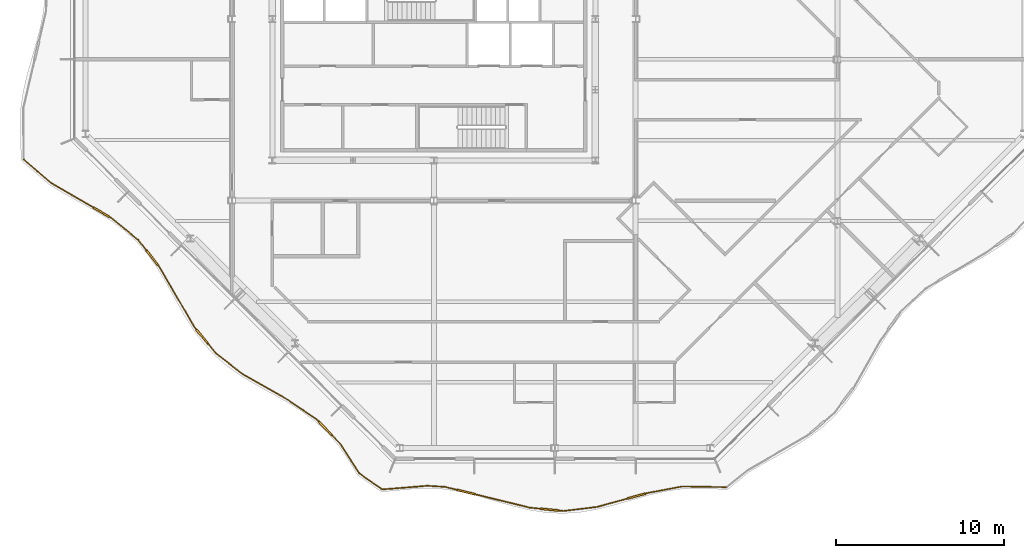
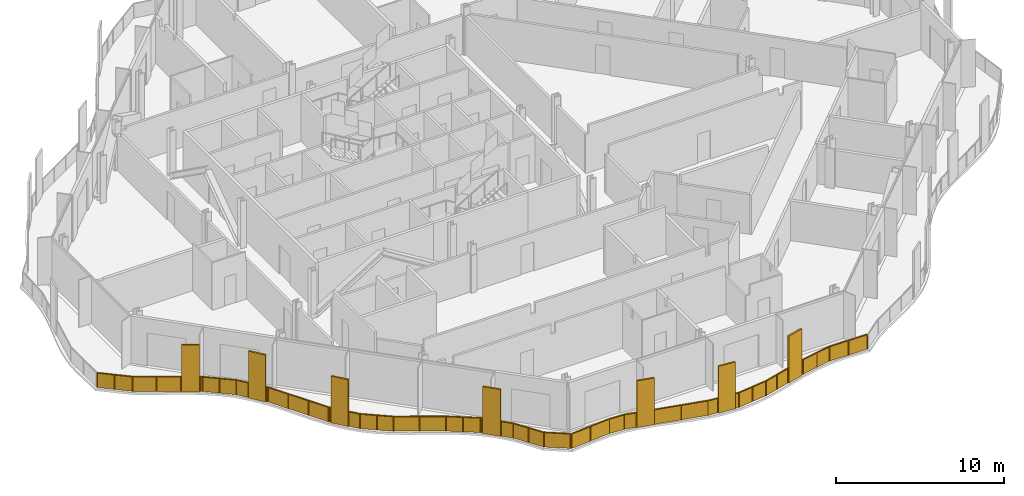
# One storey, part 13 of 17: 2 railings.
"""IFC4 building model written with IfcOpenShell, lengths in metres."""

from ifc_helpers import new_model, si_unit, direction, frame, origin, origin_2d, place, context, subcontext, project, spatial, polyline, rectangle, outline, extrude, material, type_object, element, save


model = new_model("IFC4")

# Units and contexts
model_context = context("Model", 3, precision=1e-05, world=origin(), true_north=direction((0.0, 1.0)))
body_context = subcontext(model_context, "Body", "Model", "MODEL_VIEW")
ifc_project = project(units=[si_unit("LENGTHUNIT", "METRE"), si_unit("AREAUNIT", "SQUARE_METRE"), si_unit("VOLUMEUNIT", "CUBIC_METRE"), si_unit("PLANEANGLEUNIT", "RADIAN"), si_unit("MASSUNIT", "GRAM", prefix="KILO")], contexts=[model_context])

# Site, building, storey
site_placement = place(None, origin())
site = spatial("IfcSite", under=ifc_project, at=site_placement, CompositionType="ELEMENT")
building_placement = place(site_placement, origin())
building = spatial("IfcBuilding", under=site, at=building_placement, Name="Cairn Pilgrim Tower", CompositionType="ELEMENT")
storey_placement = place(building_placement, frame((0.0, 0.0, 239.39990234375)))
storey = spatial("IfcBuildingStorey", under=building, at=storey_placement, Name="L61", CompositionType="ELEMENT", Elevation=239.39990234375)

# Railings
ifc_material = material(Name="Bronze anodised aluminium rail, posts and fin screens with laminated glass infill", Category="aluminium")
railing_type = type_object("IfcRailingType", Name="BALCONY GUARD WITH FIN SCREENS", PredefinedType="GUARDRAIL", material=ifc_material)
railing_1_placement = place(storey_placement, frame((4.129638671875, -25.56591796875, 0.0)))
element("IfcRailing", 1, at=railing_1_placement, inside=storey, type_object=railing_type, Name="Balcony guard BGF-1 with fin screens", PredefinedType="GUARDRAIL", context=body_context, shape_type="SweptSolid", body=[
    extrude(rectangle(XDim=0.050048828125, YDim=0.050048828125, at=origin_2d()), frame((0.0, 0.0, 1.0751953125), z_axis=(0.996782401205, 0.08015512865, 0.0), x_axis=(-0.08015512865, 0.996782401205, 0.0)), (0.0, 0.0, 1.0), 2.69873046875),
    extrude(rectangle(XDim=0.050048828125, YDim=0.050048828125, at=origin_2d()), frame((2.68994140625, 0.21630859375, 1.0751953125), z_axis=(0.998193842621, -0.060075390576, 0.0), x_axis=(0.060075390576, 0.998193842621, 0.0)), (0.0, 0.0, 1.0), 1.036376953125),
    extrude(rectangle(XDim=1.10009765625, YDim=0.110107421875, at=origin_2d()), frame((4.98779296875, -0.1552734375, 0.0), z_axis=(0.0, 0.0, 1.0), x_axis=(0.971322740199, -0.237764872033, 0.0)), (0.0, 0.0, 1.0), 3.39990234375),
    extrude(rectangle(XDim=0.050048828125, YDim=0.050048828125, at=origin_2d()), frame((3.724365234375, 0.154052734375, 1.0751953125), z_axis=(0.971322740199, -0.237764872033, 0.0), x_axis=(0.237764872033, 0.971322740199, 0.0)), (0.0, 0.0, 1.0), 0.750732421875),
    extrude(rectangle(XDim=0.050048828125, YDim=0.050048828125, at=origin_2d()), frame((5.52197265625, -0.285888671875, 1.0751953125), z_axis=(0.971322740199, -0.237764872033, 0.0), x_axis=(0.237764872033, 0.971322740199, 0.0)), (0.0, 0.0, 1.0), 3.354248046875),
    extrude(rectangle(XDim=1.10009765625, YDim=0.110107421875, at=origin_2d()), frame((9.968994140625, -1.2021484375, 0.0), z_axis=(0.0, 0.0, 1.0), x_axis=(0.995057676602, -0.099298641659, 0.0)), (0.0, 0.0, 1.0), 3.39990234375),
    extrude(rectangle(XDim=0.050048828125, YDim=0.050048828125, at=origin_2d()), frame((8.780029296875, -1.08349609375, 1.0751953125), z_axis=(0.995057676602, -0.099298641659, 0.0), x_axis=(0.099298641659, 0.995057676602, 0.0)), (0.0, 0.0, 1.0), 0.64501953125),
    extrude(rectangle(XDim=0.050048828125, YDim=0.050048828125, at=origin_2d()), frame((10.516357421875, -1.2568359375, 1.0751953125), z_axis=(0.995057676602, -0.099298641659, 0.0), x_axis=(0.099298641659, 0.995057676602, 0.0)), (0.0, 0.0, 1.0), 0.2587890625),
    extrude(rectangle(XDim=0.050048828125, YDim=0.050048828125, at=origin_2d()), frame((10.77392578125, -1.282470703125, 1.0751953125), z_axis=(0.99267292977, 0.120832340459, 0.0), x_axis=(-0.120832340459, 0.99267292977, 0.0)), (0.0, 0.0, 1.0), 2.00830078125),
    extrude(rectangle(XDim=1.10009765625, YDim=0.110107421875, at=origin_2d()), frame((15.119384765625, -0.393798828125, 0.0), z_axis=(0.0, 0.0, 1.0), x_axis=(0.964293828169, 0.264834689863, 0.0)), (0.0, 0.0, 1.0), 3.39990234375),
    extrude(rectangle(XDim=0.050048828125, YDim=0.050048828125, at=origin_2d()), frame((12.767578125, -1.039794921875, 1.0751953125), z_axis=(0.964293828169, 0.264834689863, 0.0), x_axis=(-0.264834689863, 0.964293828169, 0.0)), (0.0, 0.0, 1.0), 1.888916015625),
    extrude(rectangle(XDim=0.050048828125, YDim=0.050048828125, at=origin_2d()), frame((15.64990234375, -0.248291015625, 1.0751953125), z_axis=(0.964293828169, 0.264834689863, 0.0), x_axis=(-0.264834689863, 0.964293828169, 0.0)), (0.0, 0.0, 1.0), 0.14990234375),
    extrude(rectangle(XDim=0.050048828125, YDim=0.050048828125, at=origin_2d()), frame((15.79443359375, -0.20849609375, 1.0751953125), z_axis=(0.982599810295, 0.185735329995, 0.0), x_axis=(-0.185735329995, 0.982599810295, 0.0)), (0.0, 0.0, 1.0), 2.078125),
    extrude(rectangle(XDim=0.050048828125, YDim=0.050048828125, at=origin_2d()), frame((17.83642578125, 0.177490234375, 1.0751953125), z_axis=(0.999870370946, -0.016100972157, 0.0), x_axis=(0.016100972157, 0.999870370946, 0.0)), (0.0, 0.0, 1.0), 2.57763671875),
    extrude(rectangle(XDim=0.050048828125, YDim=0.050048828125, at=origin_2d()), origin(), (0.0, 0.0, 1.0), 1.050048828125),
    extrude(rectangle(XDim=0.050048828125, YDim=0.050048828125, at=origin_2d()), frame((1.344970703125, 0.108154296875, 0.0)), (0.0, 0.0, 1.0), 1.050048828125),
    extrude(rectangle(XDim=0.050048828125, YDim=0.050048828125, at=origin_2d()), frame((2.68994140625, 0.21630859375, 0.0)), (0.0, 0.0, 1.0), 1.050048828125),
    extrude(rectangle(XDim=0.050048828125, YDim=0.050048828125, at=origin_2d()), frame((3.724365234375, 0.154052734375, 0.0)), (0.0, 0.0, 1.0), 1.050048828125),
    extrude(rectangle(XDim=0.050048828125, YDim=0.050048828125, at=origin_2d()), frame((4.42919921875, -0.0185546875, 0.0)), (0.0, 0.0, 1.0), 1.050048828125),
    extrude(rectangle(XDim=0.050048828125, YDim=0.050048828125, at=origin_2d()), frame((5.54638671875, -0.2919921875, 0.0)), (0.0, 0.0, 1.0), 1.050048828125),
    extrude(rectangle(XDim=0.050048828125, YDim=0.050048828125, at=origin_2d()), frame((7.1630859375, -0.687744140625, 0.0)), (0.0, 0.0, 1.0), 1.050048828125),
    extrude(rectangle(XDim=0.050048828125, YDim=0.050048828125, at=origin_2d()), frame((8.780029296875, -1.08349609375, 0.0)), (0.0, 0.0, 1.0), 1.050048828125),
    extrude(rectangle(XDim=0.050048828125, YDim=0.050048828125, at=origin_2d()), frame((9.39697265625, -1.14501953125, 0.0)), (0.0, 0.0, 1.0), 1.050048828125),
    extrude(rectangle(XDim=0.050048828125, YDim=0.050048828125, at=origin_2d()), frame((10.541259765625, -1.25927734375, 0.0)), (0.0, 0.0, 1.0), 1.050048828125),
    extrude(rectangle(XDim=0.050048828125, YDim=0.050048828125, at=origin_2d()), frame((10.77392578125, -1.282470703125, 0.0)), (0.0, 0.0, 1.0), 1.050048828125),
    extrude(rectangle(XDim=0.050048828125, YDim=0.050048828125, at=origin_2d()), frame((11.770751953125, -1.1611328125, 0.0)), (0.0, 0.0, 1.0), 1.050048828125),
    extrude(rectangle(XDim=0.050048828125, YDim=0.050048828125, at=origin_2d()), frame((12.767578125, -1.039794921875, 0.0)), (0.0, 0.0, 1.0), 1.050048828125),
    extrude(rectangle(XDim=0.050048828125, YDim=0.050048828125, at=origin_2d()), frame((13.666259765625, -0.79296875, 0.0)), (0.0, 0.0, 1.0), 1.050048828125),
    extrude(rectangle(XDim=0.050048828125, YDim=0.050048828125, at=origin_2d()), frame((14.56494140625, -0.546142578125, 0.0)), (0.0, 0.0, 1.0), 1.050048828125),
    extrude(rectangle(XDim=0.050048828125, YDim=0.050048828125, at=origin_2d()), frame((15.674072265625, -0.24169921875, 0.0)), (0.0, 0.0, 1.0), 1.050048828125),
    extrude(rectangle(XDim=0.050048828125, YDim=0.050048828125, at=origin_2d()), frame((15.79443359375, -0.20849609375, 0.0)), (0.0, 0.0, 1.0), 1.050048828125),
    extrude(rectangle(XDim=0.050048828125, YDim=0.050048828125, at=origin_2d()), frame((16.8154296875, -0.015625, 0.0)), (0.0, 0.0, 1.0), 1.050048828125),
    extrude(rectangle(XDim=0.050048828125, YDim=0.050048828125, at=origin_2d()), frame((17.83642578125, 0.177490234375, 0.0)), (0.0, 0.0, 1.0), 1.050048828125),
    extrude(rectangle(XDim=0.050048828125, YDim=0.050048828125, at=origin_2d()), frame((19.125, 0.15673828125, 0.0)), (0.0, 0.0, 1.0), 1.050048828125),
    extrude(rectangle(XDim=0.050048828125, YDim=0.050048828125, at=origin_2d()), frame((20.413818359375, 0.135986328125, 0.0)), (0.0, 0.0, 1.0), 1.050048828125),
    extrude(outline(polyline([(0.02490234375, 0.0), (1.32421875, 0.0), (1.32421875, 1.050048828125), (0.02490234375, 1.050048828125), (0.02490234375, 0.0)])), frame((-0.00048828125, 0.005859375, 0.0), z_axis=(0.08015512865, -0.996782401205, 0.0), x_axis=(0.996782401205, 0.08015512865, 0.0)), (0.0, 0.0, 1.0), 0.011962890625),
    extrude(outline(polyline([(0.02490234375, 0.0), (1.32421875, 0.0), (1.32421875, 1.050048828125), (0.02490234375, 1.050048828125), (0.02490234375, 0.0)])), frame((1.344482421875, 0.114013671875, 0.0), z_axis=(0.08015512865, -0.996782401205, 0.0), x_axis=(0.996782401205, 0.08015512865, 0.0)), (0.0, 0.0, 1.0), 0.011962890625),
    extrude(outline(polyline([(0.02490234375, 0.0), (1.01123046875, 0.0), (1.01123046875, 1.050048828125), (0.02490234375, 1.050048828125), (0.02490234375, 0.0)])), frame((2.690185546875, 0.22216796875, 0.0), z_axis=(-0.060075390576, -0.998193842621, 0.0), x_axis=(0.998193842621, -0.060075390576, 0.0)), (0.0, 0.0, 1.0), 0.011962890625),
    extrude(outline(polyline([(0.02490234375, 0.0), (0.70068359375, 0.0), (0.70068359375, 1.050048828125), (0.02490234375, 1.050048828125), (0.02490234375, 0.0)])), frame((3.725830078125, 0.159912109375, 0.0), z_axis=(-0.237764872033, -0.971322740199, 0.0), x_axis=(0.971322740199, -0.237764872033, 0.0)), (0.0, 0.0, 1.0), 0.011962890625),
    extrude(outline(polyline([(0.02490234375, 0.0), (1.6396484375, 0.0), (1.6396484375, 1.050048828125), (0.02490234375, 1.050048828125), (0.02490234375, 0.0)])), frame((5.5478515625, -0.2861328125, 0.0), z_axis=(-0.237764872033, -0.971322740199, 0.0), x_axis=(0.971322740199, -0.237764872033, 0.0)), (0.0, 0.0, 1.0), 0.011962890625),
    extrude(outline(polyline([(0.02490234375, 0.0), (1.6396484375, 0.0), (1.6396484375, 1.050048828125), (0.02490234375, 1.050048828125), (0.02490234375, 0.0)])), frame((7.16455078125, -0.681884765625, 0.0), z_axis=(-0.237764872033, -0.971322740199, 0.0), x_axis=(0.971322740199, -0.237764872033, 0.0)), (0.0, 0.0, 1.0), 0.011962890625),
    extrude(outline(polyline([(0.02490234375, 0.0), (0.594970703125, 0.0), (0.594970703125, 1.050048828125), (0.02490234375, 1.050048828125), (0.02490234375, 0.0)])), frame((8.780517578125, -1.07763671875, 0.0), z_axis=(-0.099298641659, -0.995057676602, 0.0), x_axis=(0.995057676602, -0.099298641659, 0.0)), (0.0, 0.0, 1.0), 0.011962890625),
    extrude(outline(polyline([(0.02490234375, 0.0), (0.208740234375, 0.0), (0.208740234375, 1.050048828125), (0.02490234375, 1.050048828125), (0.02490234375, 0.0)])), frame((10.541748046875, -1.25341796875, 0.0), z_axis=(-0.099298641659, -0.995057676602, 0.0), x_axis=(0.995057676602, -0.099298641659, 0.0)), (0.0, 0.0, 1.0), 0.011962890625),
    extrude(outline(polyline([(0.02490234375, 0.0), (0.979248046875, 0.0), (0.979248046875, 1.050048828125), (0.02490234375, 1.050048828125), (0.02490234375, 0.0)])), frame((10.773193359375, -1.276611328125, 0.0), z_axis=(0.120832340459, -0.99267292977, 0.0), x_axis=(0.99267292977, 0.120832340459, 0.0)), (0.0, 0.0, 1.0), 0.011962890625),
    extrude(outline(polyline([(0.02490234375, 0.0), (0.979248046875, 0.0), (0.979248046875, 1.050048828125), (0.02490234375, 1.050048828125), (0.02490234375, 0.0)])), frame((11.77001953125, -1.1552734375, 0.0), z_axis=(0.120832340459, -0.99267292977, 0.0), x_axis=(0.99267292977, 0.120832340459, 0.0)), (0.0, 0.0, 1.0), 0.011962890625),
    extrude(outline(polyline([(0.02490234375, 0.0), (0.906982421875, 0.0), (0.906982421875, 1.050048828125), (0.02490234375, 1.050048828125), (0.02490234375, 0.0)])), frame((12.76611328125, -1.033935546875, 0.0), z_axis=(0.264834689863, -0.964293828169, 0.0), x_axis=(0.964293828169, 0.264834689863, 0.0)), (0.0, 0.0, 1.0), 0.011962890625),
    extrude(outline(polyline([(0.02490234375, 0.0), (0.906982421875, 0.0), (0.906982421875, 1.050048828125), (0.02490234375, 1.050048828125), (0.02490234375, 0.0)])), frame((13.664794921875, -0.787109375, 0.0), z_axis=(0.264834689863, -0.964293828169, 0.0), x_axis=(0.964293828169, 0.264834689863, 0.0)), (0.0, 0.0, 1.0), 0.011962890625),
    extrude(outline(polyline([(0.02490234375, 0.0), (0.099853515625, 0.0), (0.099853515625, 1.050048828125), (0.02490234375, 1.050048828125), (0.02490234375, 0.0)])), frame((15.67236328125, -0.23583984375, 0.0), z_axis=(0.264834689863, -0.964293828169, 0.0), x_axis=(0.964293828169, 0.264834689863, 0.0)), (0.0, 0.0, 1.0), 0.011962890625),
    extrude(outline(polyline([(0.02490234375, 0.0), (1.01416015625, 0.0), (1.01416015625, 1.050048828125), (0.02490234375, 1.050048828125), (0.02490234375, 0.0)])), frame((15.793212890625, -0.20263671875, 0.0), z_axis=(0.185735329995, -0.982599810295, 0.0), x_axis=(0.982599810295, 0.185735329995, 0.0)), (0.0, 0.0, 1.0), 0.011962890625),
    extrude(outline(polyline([(0.02490234375, 0.0), (1.01416015625, 0.0), (1.01416015625, 1.050048828125), (0.02490234375, 1.050048828125), (0.02490234375, 0.0)])), frame((16.814208984375, -0.009521484375, 0.0), z_axis=(0.185735329995, -0.982599810295, 0.0), x_axis=(0.982599810295, 0.185735329995, 0.0)), (0.0, 0.0, 1.0), 0.011962890625),
    extrude(outline(polyline([(0.02490234375, 0.0), (1.263916015625, 0.0), (1.263916015625, 1.050048828125), (0.02490234375, 1.050048828125), (0.02490234375, 0.0)])), frame((17.83642578125, 0.183349609375, 0.0), z_axis=(-0.016100972157, -0.999870370946, 0.0), x_axis=(0.999870370946, -0.016100972157, 0.0)), (0.0, 0.0, 1.0), 0.011962890625),
    extrude(outline(polyline([(0.02490234375, 0.0), (1.263916015625, 0.0), (1.263916015625, 1.050048828125), (0.02490234375, 1.050048828125), (0.02490234375, 0.0)])), frame((19.125244140625, 0.16259765625, 0.0), z_axis=(-0.016100972157, -0.999870370946, 0.0), x_axis=(0.999870370946, -0.016100972157, 0.0)), (0.0, 0.0, 1.0), 0.011962890625),
])
railing_2_placement = place(storey_placement, frame((-17.1865234375, -5.94677734375, 0.0)))
element("IfcRailing", 2, at=railing_2_placement, inside=storey, type_object=railing_type, Name="Balcony guard BGF-8 with fin screens", PredefinedType="GUARDRAIL", context=body_context, shape_type="SweptSolid", body=[
    extrude(rectangle(XDim=0.050048828125, YDim=0.050048828125, at=origin_2d()), frame((0.0, 0.0, 1.0751953125), z_axis=(0.758758526469, -0.651372012378, 0.0), x_axis=(0.651372012378, 0.758758526469, 0.0)), (0.0, 0.0, 1.0), 2.146240234375),
    extrude(rectangle(XDim=1.10009765625, YDim=0.110107421875, at=origin_2d()), frame((4.619140625, -3.13671875, 0.0), z_axis=(0.0, 0.0, 1.0), x_axis=(0.864516676403, -0.502604134703, 0.0)), (0.0, 0.0, 1.0), 3.39990234375),
    extrude(rectangle(XDim=0.050048828125, YDim=0.050048828125, at=origin_2d()), frame((1.62841796875, -1.39794921875, 1.0751953125), z_axis=(0.864516676403, -0.502604134703, 0.0), x_axis=(0.502604134703, 0.864516676403, 0.0)), (0.0, 0.0, 1.0), 2.909423828125),
    extrude(rectangle(XDim=0.050048828125, YDim=0.050048828125, at=origin_2d()), frame((5.0947265625, -3.4130859375, 1.0751953125), z_axis=(0.864516676403, -0.502604134703, 0.0), x_axis=(0.502604134703, 0.864516676403, 0.0)), (0.0, 0.0, 1.0), 0.14990234375),
    extrude(rectangle(XDim=0.050048828125, YDim=0.050048828125, at=origin_2d()), frame((5.224365234375, -3.488525390625, 1.0751953125), z_axis=(0.77403689024, -0.633140499848, 0.0), x_axis=(0.633140499848, 0.77403689024, 0.0)), (0.0, 0.0, 1.0), 2.0498046875),
    extrude(rectangle(XDim=1.10009765625, YDim=0.110107421875, at=origin_2d()), frame((7.646240234375, -5.8505859375, 0.0), z_axis=(0.0, 0.0, 1.0), x_axis=(0.617343483904, -0.786693728767, 0.0)), (0.0, 0.0, 1.0), 3.39990234375),
    extrude(rectangle(XDim=0.050048828125, YDim=0.050048828125, at=origin_2d()), frame((6.81103515625, -4.786376953125, 1.0751953125), z_axis=(0.617343483904, -0.786693728767, 0.0), x_axis=(0.786693728767, 0.617343483904, 0.0)), (0.0, 0.0, 1.0), 0.802978515625),
    extrude(rectangle(XDim=0.050048828125, YDim=0.050048828125, at=origin_2d()), frame((7.98583984375, -6.283447265625, 1.0751953125), z_axis=(0.617343483904, -0.786693728767, 0.0), x_axis=(0.786693728767, 0.617343483904, 0.0)), (0.0, 0.0, 1.0), 0.14990234375),
    extrude(rectangle(XDim=0.050048828125, YDim=0.050048828125, at=origin_2d()), frame((8.078369140625, -6.4013671875, 1.0751953125), z_axis=(0.502768387203, -0.864421164034, 0.0), x_axis=(0.864421164034, 0.502768387203, 0.0)), (0.0, 0.0, 1.0), 4.1591796875),
    extrude(rectangle(XDim=1.10009765625, YDim=0.110107421875, at=origin_2d()), frame((10.615234375, -10.536376953125, 0.0), z_axis=(0.0, 0.0, 1.0), x_axis=(0.636862438245, -0.770977454114, 0.0)), (0.0, 0.0, 1.0), 3.39990234375),
    extrude(rectangle(XDim=0.050048828125, YDim=0.050048828125, at=origin_2d()), frame((10.16943359375, -9.99658203125, 1.0751953125), z_axis=(0.636862438245, -0.770977454114, 0.0), x_axis=(0.770977454114, 0.636862438245, 0.0)), (0.0, 0.0, 1.0), 0.14990234375),
    extrude(rectangle(XDim=0.050048828125, YDim=0.050048828125, at=origin_2d()), frame((10.965576171875, -10.960205078125, 1.0751953125), z_axis=(0.636862438245, -0.770977454114, 0.0), x_axis=(0.770977454114, 0.636862438245, 0.0)), (0.0, 0.0, 1.0), 0.741455078125),
    extrude(rectangle(XDim=0.050048828125, YDim=0.050048828125, at=origin_2d()), frame((11.437744140625, -11.531982421875, 1.0751953125), z_axis=(0.789417952289, -0.613856087861, 0.0), x_axis=(0.613856087861, 0.789417952289, 0.0)), (0.0, 0.0, 1.0), 1.999755859375),
    extrude(rectangle(XDim=0.050048828125, YDim=0.050048828125, at=origin_2d()), frame((13.016357421875, -12.759521484375, 1.0751953125), z_axis=(0.869394769672, -0.494118138169, 0.0), x_axis=(0.494118138169, 0.869394769672, 0.0)), (0.0, 0.0, 1.0), 3.124755859375),
    extrude(rectangle(XDim=0.050048828125, YDim=0.050048828125, at=origin_2d()), frame((15.73291015625, -14.303466796875, 1.0751953125), z_axis=(0.825695041897, -0.564116741276, 0.0), x_axis=(0.564116741276, 0.825695041897, 0.0)), (0.0, 0.0, 1.0), 2.068359375),
    extrude(rectangle(XDim=1.10009765625, YDim=0.110107421875, at=origin_2d()), frame((17.925048828125, -15.975830078125, 0.0), z_axis=(0.0, 0.0, 1.0), x_axis=(0.691881992265, -0.72201060157, 0.0)), (0.0, 0.0, 1.0), 3.39990234375),
    extrude(rectangle(XDim=0.050048828125, YDim=0.050048828125, at=origin_2d()), frame((17.440673828125, -15.47021484375, 1.0751953125), z_axis=(0.691881992265, -0.72201060157, 0.0), x_axis=(0.72201060157, 0.691881992265, 0.0)), (0.0, 0.0, 1.0), 0.150146484375),
    extrude(rectangle(XDim=0.050048828125, YDim=0.050048828125, at=origin_2d()), frame((18.3056640625, -16.372802734375, 1.0751953125), z_axis=(0.691881992265, -0.72201060157, 0.0), x_axis=(0.72201060157, 0.691881992265, 0.0)), (0.0, 0.0, 1.0), 0.791748046875),
    extrude(rectangle(XDim=0.050048828125, YDim=0.050048828125, at=origin_2d()), frame((18.853515625, -16.944580078125, 1.0751953125), z_axis=(0.540171832878, -0.841554746268, 0.0), x_axis=(0.841554746268, 0.540171832878, 0.0)), (0.0, 0.0, 1.0), 2.043701171875),
    extrude(rectangle(XDim=0.050048828125, YDim=0.050048828125, at=origin_2d()), frame((19.95751953125, -18.66455078125, 1.0751953125), z_axis=(0.818284783412, -0.574813024589, 0.0), x_axis=(0.574813024589, 0.818284783412, 0.0)), (0.0, 0.0, 1.0), 1.600341796875),
    extrude(rectangle(XDim=0.050048828125, YDim=0.050048828125, at=origin_2d()), origin(), (0.0, 0.0, 1.0), 1.050048828125),
    extrude(rectangle(XDim=0.050048828125, YDim=0.050048828125, at=origin_2d()), frame((0.814208984375, -0.698974609375, 0.0)), (0.0, 0.0, 1.0), 1.050048828125),
    extrude(rectangle(XDim=0.050048828125, YDim=0.050048828125, at=origin_2d()), frame((1.62841796875, -1.39794921875, 0.0)), (0.0, 0.0, 1.0), 1.050048828125),
    extrude(rectangle(XDim=0.050048828125, YDim=0.050048828125, at=origin_2d()), frame((2.875244140625, -2.122802734375, 0.0)), (0.0, 0.0, 1.0), 1.050048828125),
    extrude(rectangle(XDim=0.050048828125, YDim=0.050048828125, at=origin_2d()), frame((4.1220703125, -2.84765625, 0.0)), (0.0, 0.0, 1.0), 1.050048828125),
    extrude(rectangle(XDim=0.050048828125, YDim=0.050048828125, at=origin_2d()), frame((5.116455078125, -3.42578125, 0.0)), (0.0, 0.0, 1.0), 1.050048828125),
    extrude(rectangle(XDim=0.050048828125, YDim=0.050048828125, at=origin_2d()), frame((5.224365234375, -3.488525390625, 0.0)), (0.0, 0.0, 1.0), 1.050048828125),
    extrude(rectangle(XDim=0.050048828125, YDim=0.050048828125, at=origin_2d()), frame((6.017578125, -4.137451171875, 0.0)), (0.0, 0.0, 1.0), 1.050048828125),
    extrude(rectangle(XDim=0.050048828125, YDim=0.050048828125, at=origin_2d()), frame((6.81103515625, -4.786376953125, 0.0)), (0.0, 0.0, 1.0), 1.050048828125),
    extrude(rectangle(XDim=0.050048828125, YDim=0.050048828125, at=origin_2d()), frame((7.291259765625, -5.3984375, 0.0)), (0.0, 0.0, 1.0), 1.050048828125),
    extrude(rectangle(XDim=0.050048828125, YDim=0.050048828125, at=origin_2d()), frame((8.001220703125, -6.302978515625, 0.0)), (0.0, 0.0, 1.0), 1.050048828125),
    extrude(rectangle(XDim=0.050048828125, YDim=0.050048828125, at=origin_2d()), frame((8.078369140625, -6.4013671875, 0.0)), (0.0, 0.0, 1.0), 1.050048828125),
    extrude(rectangle(XDim=0.050048828125, YDim=0.050048828125, at=origin_2d()), frame((8.775390625, -7.599853515625, 0.0)), (0.0, 0.0, 1.0), 1.050048828125),
    extrude(rectangle(XDim=0.050048828125, YDim=0.050048828125, at=origin_2d()), frame((9.472412109375, -8.798095703125, 0.0)), (0.0, 0.0, 1.0), 1.050048828125),
    extrude(rectangle(XDim=0.050048828125, YDim=0.050048828125, at=origin_2d()), frame((10.16943359375, -9.99658203125, 0.0)), (0.0, 0.0, 1.0), 1.050048828125),
    extrude(rectangle(XDim=0.050048828125, YDim=0.050048828125, at=origin_2d()), frame((10.2490234375, -10.093017578125, 0.0)), (0.0, 0.0, 1.0), 1.050048828125),
    extrude(rectangle(XDim=0.050048828125, YDim=0.050048828125, at=origin_2d()), frame((10.9814453125, -10.9794921875, 0.0)), (0.0, 0.0, 1.0), 1.050048828125),
    extrude(rectangle(XDim=0.050048828125, YDim=0.050048828125, at=origin_2d()), frame((11.437744140625, -11.531982421875, 0.0)), (0.0, 0.0, 1.0), 1.050048828125),
    extrude(rectangle(XDim=0.050048828125, YDim=0.050048828125, at=origin_2d()), frame((12.22705078125, -12.145751953125, 0.0)), (0.0, 0.0, 1.0), 1.050048828125),
    extrude(rectangle(XDim=0.050048828125, YDim=0.050048828125, at=origin_2d()), frame((13.016357421875, -12.759521484375, 0.0)), (0.0, 0.0, 1.0), 1.050048828125),
    extrude(rectangle(XDim=0.050048828125, YDim=0.050048828125, at=origin_2d()), frame((14.37451171875, -13.531494140625, 0.0)), (0.0, 0.0, 1.0), 1.050048828125),
    extrude(rectangle(XDim=0.050048828125, YDim=0.050048828125, at=origin_2d()), frame((15.73291015625, -14.303466796875, 0.0)), (0.0, 0.0, 1.0), 1.050048828125),
    extrude(rectangle(XDim=0.050048828125, YDim=0.050048828125, at=origin_2d()), frame((16.5869140625, -14.88671875, 0.0)), (0.0, 0.0, 1.0), 1.050048828125),
    extrude(rectangle(XDim=0.050048828125, YDim=0.050048828125, at=origin_2d()), frame((17.440673828125, -15.47021484375, 0.0)), (0.0, 0.0, 1.0), 1.050048828125),
    extrude(rectangle(XDim=0.050048828125, YDim=0.050048828125, at=origin_2d()), frame((17.52734375, -15.560546875, 0.0)), (0.0, 0.0, 1.0), 1.050048828125),
    extrude(rectangle(XDim=0.050048828125, YDim=0.050048828125, at=origin_2d()), frame((18.322998046875, -16.390869140625, 0.0)), (0.0, 0.0, 1.0), 1.050048828125),
    extrude(rectangle(XDim=0.050048828125, YDim=0.050048828125, at=origin_2d()), frame((18.853515625, -16.944580078125, 0.0)), (0.0, 0.0, 1.0), 1.050048828125),
    extrude(rectangle(XDim=0.050048828125, YDim=0.050048828125, at=origin_2d()), frame((19.405517578125, -17.8046875, 0.0)), (0.0, 0.0, 1.0), 1.050048828125),
    extrude(rectangle(XDim=0.050048828125, YDim=0.050048828125, at=origin_2d()), frame((19.95751953125, -18.66455078125, 0.0)), (0.0, 0.0, 1.0), 1.050048828125),
    extrude(rectangle(XDim=0.050048828125, YDim=0.050048828125, at=origin_2d()), frame((21.26708984375, -19.58447265625, 0.0)), (0.0, 0.0, 1.0), 1.050048828125),
    extrude(outline(polyline([(0.02490234375, 0.0), (1.048095703125, 0.0), (1.048095703125, 1.050048828125), (0.02490234375, 1.050048828125), (0.02490234375, 0.0)])), frame((0.00390625, 0.004638671875, 0.0), z_axis=(-0.651372012378, -0.758758526469, 0.0), x_axis=(0.758758526469, -0.651372012378, 0.0)), (0.0, 0.0, 1.0), 0.011962890625),
    extrude(outline(polyline([(0.02490234375, 0.0), (1.048095703125, 0.0), (1.048095703125, 1.050048828125), (0.02490234375, 1.050048828125), (0.02490234375, 0.0)])), frame((0.818115234375, -0.6943359375, 0.0), z_axis=(-0.651372012378, -0.758758526469, 0.0), x_axis=(0.758758526469, -0.651372012378, 0.0)), (0.0, 0.0, 1.0), 0.011962890625),
    extrude(outline(polyline([(0.02490234375, 0.0), (1.417236328125, 0.0), (1.417236328125, 1.050048828125), (0.02490234375, 1.050048828125), (0.02490234375, 0.0)])), frame((1.63134765625, -1.392822265625, 0.0), z_axis=(-0.502604134703, -0.864516676403, 0.0), x_axis=(0.864516676403, -0.502604134703, 0.0)), (0.0, 0.0, 1.0), 0.011962890625),
    extrude(outline(polyline([(0.02490234375, 0.0), (1.417236328125, 0.0), (1.417236328125, 1.050048828125), (0.02490234375, 1.050048828125), (0.02490234375, 0.0)])), frame((2.878173828125, -2.11767578125, 0.0), z_axis=(-0.502604134703, -0.864516676403, 0.0), x_axis=(0.864516676403, -0.502604134703, 0.0)), (0.0, 0.0, 1.0), 0.011962890625),
    extrude(outline(polyline([(0.02490234375, 0.0), (0.099853515625, 0.0), (0.099853515625, 1.050048828125), (0.02490234375, 1.050048828125), (0.02490234375, 0.0)])), frame((5.119384765625, -3.420654296875, 0.0), z_axis=(-0.502604134703, -0.864516676403, 0.0), x_axis=(0.864516676403, -0.502604134703, 0.0)), (0.0, 0.0, 1.0), 0.011962890625),
    extrude(outline(polyline([(0.02490234375, 0.0), (1.0, 0.0), (1.0, 1.050048828125), (0.02490234375, 1.050048828125), (0.02490234375, 0.0)])), frame((5.228271484375, -3.48388671875, 0.0), z_axis=(-0.633140499848, -0.77403689024, 0.0), x_axis=(0.77403689024, -0.633140499848, 0.0)), (0.0, 0.0, 1.0), 0.011962890625),
    extrude(outline(polyline([(0.02490234375, 0.0), (1.0, 0.0), (1.0, 1.050048828125), (0.02490234375, 1.050048828125), (0.02490234375, 0.0)])), frame((6.021484375, -4.1328125, 0.0), z_axis=(-0.633140499848, -0.77403689024, 0.0), x_axis=(0.77403689024, -0.633140499848, 0.0)), (0.0, 0.0, 1.0), 0.011962890625),
    extrude(outline(polyline([(0.02490234375, 0.0), (0.7529296875, 0.0), (0.7529296875, 1.050048828125), (0.02490234375, 1.050048828125), (0.02490234375, 0.0)])), frame((6.815673828125, -4.78271484375, 0.0), z_axis=(-0.786693728767, -0.617343483904, 0.0), x_axis=(0.617343483904, -0.786693728767, 0.0)), (0.0, 0.0, 1.0), 0.011962890625),
    extrude(outline(polyline([(0.02490234375, 0.0), (0.099853515625, 0.0), (0.099853515625, 1.050048828125), (0.02490234375, 1.050048828125), (0.02490234375, 0.0)])), frame((8.005859375, -6.29931640625, 0.0), z_axis=(-0.786693728767, -0.617343483904, 0.0), x_axis=(0.617343483904, -0.786693728767, 0.0)), (0.0, 0.0, 1.0), 0.011962890625),
    extrude(outline(polyline([(0.02490234375, 0.0), (1.361328125, 0.0), (1.361328125, 1.050048828125), (0.02490234375, 1.050048828125), (0.02490234375, 0.0)])), frame((8.08349609375, -6.3984375, 0.0), z_axis=(-0.864421164034, -0.502768387203, 0.0), x_axis=(0.502768387203, -0.864421164034, 0.0)), (0.0, 0.0, 1.0), 0.011962890625),
    extrude(outline(polyline([(0.02490234375, 0.0), (1.361328125, 0.0), (1.361328125, 1.050048828125), (0.02490234375, 1.050048828125), (0.02490234375, 0.0)])), frame((8.780517578125, -7.5966796875, 0.0), z_axis=(-0.864421164034, -0.502768387203, 0.0), x_axis=(0.502768387203, -0.864421164034, 0.0)), (0.0, 0.0, 1.0), 0.011962890625),
    extrude(outline(polyline([(0.02490234375, 0.0), (1.361328125, 0.0), (1.361328125, 1.050048828125), (0.02490234375, 1.050048828125), (0.02490234375, 0.0)])), frame((9.4775390625, -8.795166015625, 0.0), z_axis=(-0.864421164034, -0.502768387203, 0.0), x_axis=(0.502768387203, -0.864421164034, 0.0)), (0.0, 0.0, 1.0), 0.011962890625),
    extrude(outline(polyline([(0.02490234375, 0.0), (0.099853515625, 0.0), (0.099853515625, 1.050048828125), (0.02490234375, 1.050048828125), (0.02490234375, 0.0)])), frame((10.174072265625, -9.99267578125, 0.0), z_axis=(-0.770977454114, -0.636862438245, 0.0), x_axis=(0.636862438245, -0.770977454114, 0.0)), (0.0, 0.0, 1.0), 0.011962890625),
    extrude(outline(polyline([(0.02490234375, 0.0), (0.69140625, 0.0), (0.69140625, 1.050048828125), (0.02490234375, 1.050048828125), (0.02490234375, 0.0)])), frame((10.986083984375, -10.975830078125, 0.0), z_axis=(-0.770977454114, -0.636862438245, 0.0), x_axis=(0.636862438245, -0.770977454114, 0.0)), (0.0, 0.0, 1.0), 0.011962890625),
    extrude(outline(polyline([(0.02490234375, 0.0), (0.974853515625, 0.0), (0.974853515625, 1.050048828125), (0.02490234375, 1.050048828125), (0.02490234375, 0.0)])), frame((11.44140625, -11.52734375, 0.0), z_axis=(-0.613856087861, -0.789417952289, 0.0), x_axis=(0.789417952289, -0.613856087861, 0.0)), (0.0, 0.0, 1.0), 0.011962890625),
    extrude(outline(polyline([(0.02490234375, 0.0), (0.974853515625, 0.0), (0.974853515625, 1.050048828125), (0.02490234375, 1.050048828125), (0.02490234375, 0.0)])), frame((12.230712890625, -12.14111328125, 0.0), z_axis=(-0.613856087861, -0.789417952289, 0.0), x_axis=(0.789417952289, -0.613856087861, 0.0)), (0.0, 0.0, 1.0), 0.011962890625),
    extrude(outline(polyline([(0.02490234375, 0.0), (1.537353515625, 0.0), (1.537353515625, 1.050048828125), (0.02490234375, 1.050048828125), (0.02490234375, 0.0)])), frame((13.019287109375, -12.75439453125, 0.0), z_axis=(-0.494118138169, -0.869394769672, 0.0), x_axis=(0.869394769672, -0.494118138169, 0.0)), (0.0, 0.0, 1.0), 0.011962890625),
    extrude(outline(polyline([(0.02490234375, 0.0), (1.537353515625, 0.0), (1.537353515625, 1.050048828125), (0.02490234375, 1.050048828125), (0.02490234375, 0.0)])), frame((14.377685546875, -13.5263671875, 0.0), z_axis=(-0.494118138169, -0.869394769672, 0.0), x_axis=(0.869394769672, -0.494118138169, 0.0)), (0.0, 0.0, 1.0), 0.011962890625),
    extrude(outline(polyline([(0.02490234375, 0.0), (1.009033203125, 0.0), (1.009033203125, 1.050048828125), (0.02490234375, 1.050048828125), (0.02490234375, 0.0)])), frame((15.736328125, -14.298583984375, 0.0), z_axis=(-0.564116741276, -0.825695041897, 0.0), x_axis=(0.825695041897, -0.564116741276, 0.0)), (0.0, 0.0, 1.0), 0.011962890625),
    extrude(outline(polyline([(0.02490234375, 0.0), (1.009033203125, 0.0), (1.009033203125, 1.050048828125), (0.02490234375, 1.050048828125), (0.02490234375, 0.0)])), frame((16.590087890625, -14.8818359375, 0.0), z_axis=(-0.564116741276, -0.825695041897, 0.0), x_axis=(0.825695041897, -0.564116741276, 0.0)), (0.0, 0.0, 1.0), 0.011962890625),
    extrude(outline(polyline([(0.02490234375, 0.0), (0.10009765625, 0.0), (0.10009765625, 1.050048828125), (0.02490234375, 1.050048828125), (0.02490234375, 0.0)])), frame((17.445068359375, -15.466064453125, 0.0), z_axis=(-0.72201060157, -0.691881992265, 0.0), x_axis=(0.691881992265, -0.72201060157, 0.0)), (0.0, 0.0, 1.0), 0.011962890625),
    extrude(outline(polyline([(0.02490234375, 0.0), (0.74169921875, 0.0), (0.74169921875, 1.050048828125), (0.02490234375, 1.050048828125), (0.02490234375, 0.0)])), frame((18.327392578125, -16.38671875, 0.0), z_axis=(-0.72201060157, -0.691881992265, 0.0), x_axis=(0.691881992265, -0.72201060157, 0.0)), (0.0, 0.0, 1.0), 0.011962890625),
    extrude(outline(polyline([(0.02490234375, 0.0), (0.996826171875, 0.0), (0.996826171875, 1.050048828125), (0.02490234375, 1.050048828125), (0.02490234375, 0.0)])), frame((18.858642578125, -16.94140625, 0.0), z_axis=(-0.841554746268, -0.540171832878, 0.0), x_axis=(0.540171832878, -0.841554746268, 0.0)), (0.0, 0.0, 1.0), 0.011962890625),
    extrude(outline(polyline([(0.02490234375, 0.0), (0.996826171875, 0.0), (0.996826171875, 1.050048828125), (0.02490234375, 1.050048828125), (0.02490234375, 0.0)])), frame((19.41064453125, -17.80126953125, 0.0), z_axis=(-0.841554746268, -0.540171832878, 0.0), x_axis=(0.540171832878, -0.841554746268, 0.0)), (0.0, 0.0, 1.0), 0.011962890625),
    extrude(outline(polyline([(0.02490234375, 0.0), (1.575439453125, 0.0), (1.575439453125, 1.050048828125), (0.02490234375, 1.050048828125), (0.02490234375, 0.0)])), frame((19.9609375, -18.65966796875, 0.0), z_axis=(-0.574813024589, -0.818284783412, 0.0), x_axis=(0.818284783412, -0.574813024589, 0.0)), (0.0, 0.0, 1.0), 0.011962890625),
])

save(model, "model.ifc")
